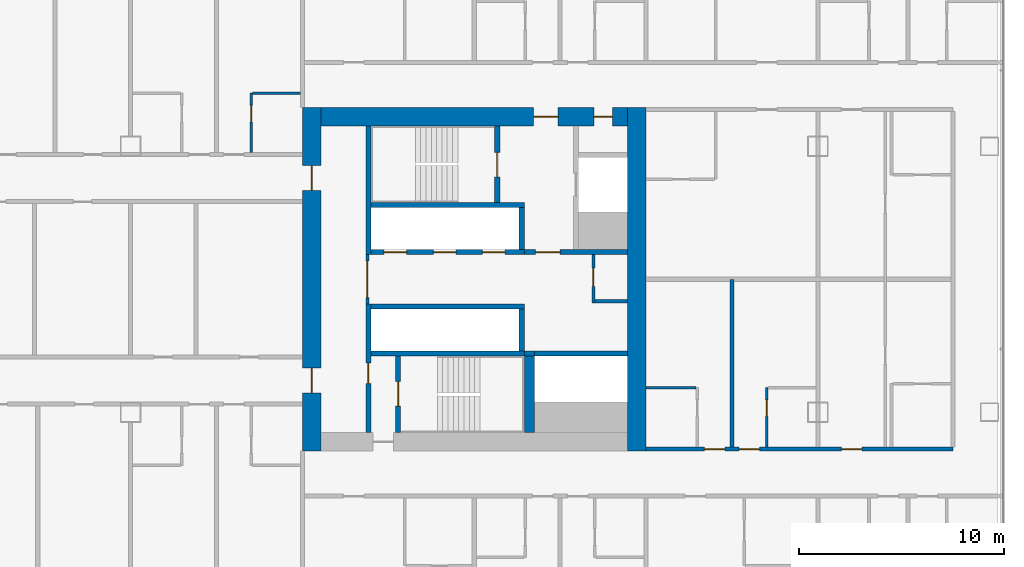
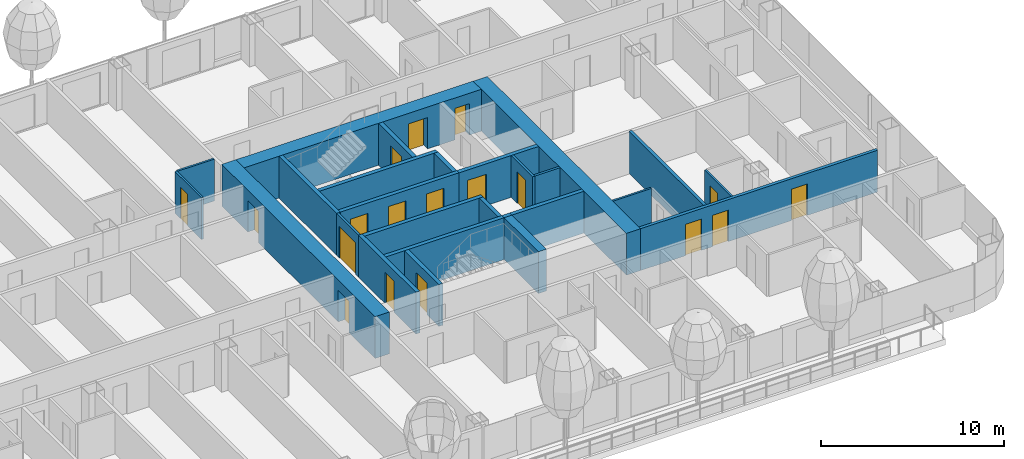
# One storey, part 18 of 36: 26 walls, 18 doors, 18 openings.
"""IFC4 building model written with IfcOpenShell, lengths in metres."""

from ifc_helpers import new_model, si_unit, direction, frame, frame_2d, origin, place, context, subcontext, project, spatial, rectangle, extrude, material, layer, layer_set, type_object, element, fill, save


model = new_model("IFC4")

# Units and contexts
model_context = context("Model", 3, precision=1e-05, world=origin(), true_north=direction((0.0, 1.0)))
body_context = subcontext(model_context, "Body", "Model", "MODEL_VIEW")
ifc_project = project(units=[si_unit("LENGTHUNIT", "METRE"), si_unit("AREAUNIT", "SQUARE_METRE"), si_unit("VOLUMEUNIT", "CUBIC_METRE"), si_unit("PLANEANGLEUNIT", "RADIAN"), si_unit("MASSUNIT", "GRAM", prefix="KILO")], contexts=[model_context])

# Site, building, storey
site_placement = place(None, origin())
site = spatial("IfcSite", under=ifc_project, at=site_placement, CompositionType="ELEMENT")
building_placement = place(site_placement, origin())
building = spatial("IfcBuilding", under=site, at=building_placement, Name="Hakoniwa Tower and Hamabe Station Hall", CompositionType="ELEMENT")
storey_placement = place(building_placement, frame((0.0, 0.0, 26.199951171875)))
storey = spatial("IfcBuildingStorey", under=building, at=storey_placement, Name="L06", CompositionType="ELEMENT", Elevation=26.199951171875)

# Walls
ifc_material_1 = material(Name="Gypsum board partition", Category="gypsum")
ifc_layer_1 = layer(ifc_material_1, 0.125)
ifc_layer_set_1 = layer_set([ifc_layer_1], Name="Bathroom Partition 125")
wall_type_1 = type_object("IfcWallType", Name="Bathroom Partition 125", PredefinedType="PARTITIONING", material=ifc_layer_set_1)
wall_1_placement = place(storey_placement, frame((33.60009765625, -5.300048828125, 0.0), z_axis=(0.0, 0.0, 1.0), x_axis=(1.0, 0.0, 0.0)))
element("IfcWall", 1, at=wall_1_placement, inside=storey, type_object=wall_type_1, Name="GW-L06-017", PredefinedType="PARTITIONING", context=body_context, shape_type="SweptSolid", body=[
    extrude(rectangle(XDim=2.4375, YDim=0.125, at=frame_2d((1.21875, 0.0))), origin(), (0.0, 0.0, 1.0), 2.800048828125),
])
wall_2_placement = place(storey_placement, frame((14.362548828125, 9.10009765625, 0.0), z_axis=(0.0, 0.0, 1.0), x_axis=(1.0, 0.0, 0.0)))
element("IfcWall", 2, at=wall_2_placement, inside=storey, type_object=wall_type_1, Name="GW-L06-037", PredefinedType="PARTITIONING", context=body_context, shape_type="SweptSolid", body=[
    extrude(rectangle(XDim=2.33740234375, YDim=0.125, at=frame_2d((1.168701171875, 0.0))), origin(), (0.0, 0.0, 1.0), 2.800048828125),
])

# Wall, opening, door
wall_3_placement = place(storey_placement, frame((14.300048828125, 6.199951171875, 0.0), z_axis=(0.0, 0.0, 1.0), x_axis=(0.0, 1.0, 0.0)))
wall_3 = element("IfcWall", 3, at=wall_3_placement, inside=storey, type_object=wall_type_1, Name="GW-L06-108", PredefinedType="PARTITIONING", context=body_context, shape_type="SweptSolid", body=[
    extrude(rectangle(XDim=2.900146484375, YDim=0.125, at=frame_2d((1.4501953125, 0.0))), origin(), (0.0, 0.0, 1.0), 2.800048828125),
])
opening_1_placement = place(wall_3_placement, frame((1.5, 0.0, 0.0)))
opening_1 = element("IfcOpeningElement", 4, at=opening_1_placement, cuts=wall_3, Name="Opening GD-G1C0-84", PredefinedType="OPENING", context=body_context, shape_type="SweptSolid", body=[
    extrude(rectangle(XDim=0.800048828125, YDim=2.10009765625, at=frame_2d((0.39990234375, 1.050048828125))), frame((0.0, 0.072509765625, 0.0), z_axis=(0.0, -1.0, 0.0), x_axis=(1.0, 0.0, 0.0)), (0.0, 0.0, 1.0), 0.14501953125),
])
ifc_material_2 = material(Name="Timber door leaf", Category="wood")
door_type_1 = type_object("IfcDoorType", Name="Bathroom Door 800", OperationType="SINGLE_SWING_LEFT", PredefinedType="DOOR", material=ifc_material_2)
door_1_placement = place(opening_1_placement, origin())
door_1 = element("IfcDoor", 5, at=door_1_placement, inside=storey, type_object=door_type_1, Name="Door GD-G1C0-84", OperationType="SINGLE_SWING_RIGHT", OverallHeight=2.10009765625, OverallWidth=0.800048828125, PredefinedType="DOOR", context=body_context, shape_type="SweptSolid", body=[
    extrude(rectangle(XDim=0.800048828125, YDim=2.10009765625, at=frame_2d((0.39990234375, 1.050048828125))), frame((0.0, 0.02490234375, 0.0), z_axis=(0.0, -1.0, 0.0), x_axis=(1.0, 0.0, 0.0)), (0.0, 0.0, 1.0), 0.050048828125),
])
fill(opening_1, door_1)

wall_4_placement = place(storey_placement, frame((39.5, -8.199951171875, 0.0), z_axis=(0.0, 0.0, 1.0), x_axis=(0.0, 1.0, 0.0)))
wall_4 = element("IfcWall", 6, at=wall_4_placement, inside=storey, type_object=wall_type_1, Name="GW-L06-128", PredefinedType="PARTITIONING", context=body_context, shape_type="SweptSolid", body=[
    extrude(rectangle(XDim=2.89990234375, YDim=0.125, at=frame_2d((1.449951171875, 0.0))), origin(), (0.0, 0.0, 1.0), 2.800048828125),
])
opening_2_placement = place(wall_4_placement, frame((1.5, 0.0, 0.0)))
opening_2 = element("IfcOpeningElement", 7, at=opening_2_placement, cuts=wall_4, Name="Opening GD-G1C0-91", PredefinedType="OPENING", context=body_context, shape_type="SweptSolid", body=[
    extrude(rectangle(XDim=0.800048828125, YDim=2.10009765625, at=frame_2d((0.39990234375, 1.050048828125))), frame((0.0, 0.072509765625, 0.0), z_axis=(0.0, -1.0, 0.0), x_axis=(1.0, 0.0, 0.0)), (0.0, 0.0, 1.0), 0.14501953125),
])
door_2_placement = place(opening_2_placement, origin())
door_2 = element("IfcDoor", 8, at=door_2_placement, inside=storey, type_object=door_type_1, Name="Door GD-G1C0-91", OperationType="SINGLE_SWING_RIGHT", OverallHeight=2.10009765625, OverallWidth=0.800048828125, PredefinedType="DOOR", context=body_context, shape_type="SweptSolid", body=[
    extrude(rectangle(XDim=0.800048828125, YDim=2.10009765625, at=frame_2d((0.39990234375, 1.050048828125))), frame((0.0, 0.02490234375, 0.0), z_axis=(0.0, -1.0, 0.0), x_axis=(1.0, 0.0, 0.0)), (0.0, 0.0, 1.0), 0.050048828125),
])
fill(opening_2, door_2)

ifc_material_3 = material(Name="Gypsum board partition")
ifc_layer_2 = layer(ifc_material_3, 0.14990234375)
ifc_layer_set_2 = layer_set([ifc_layer_2], Name="CORE PARTITION 150 EI 60")
wall_type_2 = type_object("IfcWallType", Name="CORE PARTITION 150 EI 60", PredefinedType="PARTITIONING", material=ifc_layer_set_2)
wall_5_placement = place(storey_placement, frame((19.97509765625, -1.199951171875, 0.0), z_axis=(0.0, 0.0, 1.0), x_axis=(0.0, 1.0, 0.0)))
wall_5 = element("IfcWall", 9, at=wall_5_placement, inside=storey, type_object=wall_type_2, Name="Core partition PL0 east", PredefinedType="PARTITIONING", context=body_context, shape_type="SweptSolid", body=[
    extrude(rectangle(XDim=2.39990234375, YDim=0.14990234375, at=frame_2d((1.199951171875, 0.0))), origin(), (0.0, 0.0, 1.0), 2.800048828125),
])
opening_3_placement = place(wall_5_placement, frame((0.300048828125, 0.0, 0.0)))
opening_3 = element("IfcOpeningElement", 10, at=opening_3_placement, cuts=wall_5, Name="Opening CD-E-LP0-18", PredefinedType="OPENING", context=body_context, shape_type="SweptSolid", body=[
    extrude(rectangle(XDim=1.800048828125, YDim=2.10009765625, at=frame_2d((0.89990234375, 1.050048828125))), frame((0.0, 0.0849609375, 0.0), z_axis=(0.0, -1.0, 0.0), x_axis=(1.0, 0.0, 0.0)), (0.0, 0.0, 1.0), 0.169921875),
])
ifc_material_4 = material(Name="Steel fire door", Category="steel")
door_type_2 = type_object("IfcDoorType", Name="CORE DOOR 1800 FD60", OperationType="DOUBLE_DOOR_SINGLE_SWING", PredefinedType="DOOR", material=ifc_material_4)
door_3_placement = place(opening_3_placement, origin())
door_3 = element("IfcDoor", 11, at=door_3_placement, inside=storey, type_object=door_type_2, Name="Lift lobby partition door", OperationType="DOUBLE_DOOR_SINGLE_SWING", OverallHeight=2.10009765625, OverallWidth=1.800048828125, PredefinedType="DOOR", context=body_context, shape_type="SweptSolid", body=[
    extrude(rectangle(XDim=1.800048828125, YDim=2.10009765625, at=frame_2d((0.89990234375, 1.050048828125))), frame((0.0, 0.02490234375, 0.0), z_axis=(0.0, -1.0, 0.0), x_axis=(1.0, 0.0, 0.0)), (0.0, 0.0, 1.0), 0.050048828125),
])
fill(opening_3, door_3)

wall_6_placement = place(storey_placement, frame((31.02490234375, -1.14990234375, 0.0), z_axis=(0.0, 0.0, 1.0), x_axis=(0.0, 1.0, 0.0)))
wall_6 = element("IfcWall", 12, at=wall_6_placement, inside=storey, type_object=wall_type_2, Name="Core partition PW0 east", PredefinedType="PARTITIONING", context=body_context, shape_type="SweptSolid", body=[
    extrude(rectangle(XDim=2.349853515625, YDim=0.14990234375, at=frame_2d((1.1748046875, 0.0))), origin(), (0.0, 0.0, 1.0), 2.800048828125),
])
opening_4_placement = place(wall_6_placement, frame((0.800048828125, 0.0, 0.0)))
opening_4 = element("IfcOpeningElement", 13, at=opening_4_placement, cuts=wall_6, Name="Opening CD-E-RM1-9", PredefinedType="OPENING", context=body_context, shape_type="SweptSolid", body=[
    extrude(rectangle(XDim=0.89990234375, YDim=2.10009765625, at=frame_2d((0.449951171875, 1.050048828125))), frame((0.0, 0.0849609375, 0.0), z_axis=(0.0, -1.0, 0.0), x_axis=(1.0, 0.0, 0.0)), (0.0, 0.0, 1.0), 0.169921875),
])
ifc_material_5 = material(Name="Steel fire door", Category="steel")
door_type_3 = type_object("IfcDoorType", Name="CORE DOOR 900 FD30", OperationType="NOTDEFINED", PredefinedType="DOOR", material=ifc_material_5)
door_4_placement = place(opening_4_placement, origin())
door_4 = element("IfcDoor", 14, at=door_4_placement, inside=storey, type_object=door_type_3, Name="Store room door", OperationType="SINGLE_SWING_LEFT", OverallHeight=2.10009765625, OverallWidth=0.89990234375, PredefinedType="DOOR", context=body_context, shape_type="SweptSolid", body=[
    extrude(rectangle(XDim=0.89990234375, YDim=2.10009765625, at=frame_2d((0.449951171875, 1.050048828125))), frame((0.0, 0.02490234375, 0.0), z_axis=(0.0, -1.0, 0.0), x_axis=(1.0, 0.0, 0.0)), (0.0, 0.0, 1.0), 0.050048828125),
])
fill(opening_4, door_4)

# Wall
wall_7_placement = place(storey_placement, frame((31.10009765625, -1.074951171875, 0.0), z_axis=(0.0, 0.0, 1.0), x_axis=(1.0, 0.0, 0.0)))
element("IfcWall", 15, at=wall_7_placement, inside=storey, type_object=wall_type_2, Name="Core partition PS east", PredefinedType="PARTITIONING", context=body_context, shape_type="SweptSolid", body=[
    extrude(rectangle(XDim=1.599853515625, YDim=0.14990234375, at=frame_2d((0.7998046875, 0.0))), origin(), (0.0, 0.0, 1.0), 2.800048828125),
])

# Wall, openings, doors
ifc_material_6 = material(Name="Concrete C80", Category="concrete")
ifc_layer_3 = layer(ifc_material_6, 0.89990234375)
ifc_layer_set_3 = layer_set([ifc_layer_3], Name="CORE WALL 900 C80")
wall_type_3 = type_object("IfcWallType", Name="CORE WALL 900 C80", PredefinedType="SHEAR", material=ifc_layer_set_3)
wall_8_placement = place(storey_placement, frame((17.25, -8.39990234375, 0.0), z_axis=(0.0, 0.0, 1.0), x_axis=(0.0, 1.0, 0.0)))
wall_8 = element("IfcWall", 16, at=wall_8_placement, inside=storey, type_object=wall_type_3, Name="Core wall INNER east", PredefinedType="SHEAR", context=body_context, shape_type="SweptSolid", body=[
    extrude(rectangle(XDim=16.7998046875, YDim=0.89990234375, at=frame_2d((8.39990234375, 0.0))), origin(), (0.0, 0.0, 1.0), 2.800048828125),
])
opening_5_placement = place(wall_8_placement, frame((12.75, 0.0, 0.0)))
opening_5 = element("IfcOpeningElement", 17, at=opening_5_placement, cuts=wall_8, Name="Opening CD-E-IN1-12", PredefinedType="OPENING", context=body_context, shape_type="SweptSolid", body=[
    extrude(rectangle(XDim=1.199951171875, YDim=2.10009765625, at=frame_2d((0.60009765625, 1.050048828125))), frame((0.0, 0.4599609375, 0.0), z_axis=(0.0, -1.0, 0.0), x_axis=(1.0, 0.0, 0.0)), (0.0, 0.0, 1.0), 0.919921875),
])
opening_6_placement = place(wall_8_placement, frame((2.85009765625, 0.0, 0.0)))
opening_6 = element("IfcOpeningElement", 18, at=opening_6_placement, cuts=wall_8, Name="Opening CD-E-IN2-12", PredefinedType="OPENING", context=body_context, shape_type="SweptSolid", body=[
    extrude(rectangle(XDim=1.199951171875, YDim=2.10009765625, at=frame_2d((0.60009765625, 1.050048828125))), frame((0.0, 0.4599609375, 0.0), z_axis=(0.0, -1.0, 0.0), x_axis=(1.0, 0.0, 0.0)), (0.0, 0.0, 1.0), 0.919921875),
])
ifc_material_7 = material(Name="Steel fire door", Category="steel")
door_type_4 = type_object("IfcDoorType", Name="CORE DOOR 1200 FD60", OperationType="DOUBLE_DOOR_SINGLE_SWING", PredefinedType="DOOR", material=ifc_material_7)
door_5_placement = place(opening_5_placement, origin())
door_5 = element("IfcDoor", 19, at=door_5_placement, inside=storey, type_object=door_type_4, Name="Lift lobby door", OperationType="DOUBLE_DOOR_SINGLE_SWING", OverallHeight=2.10009765625, OverallWidth=1.199951171875, PredefinedType="DOOR", context=body_context, shape_type="SweptSolid", body=[
    extrude(rectangle(XDim=1.199951171875, YDim=2.10009765625, at=frame_2d((0.60009765625, 1.050048828125))), frame((0.0, 0.02490234375, 0.0), z_axis=(0.0, -1.0, 0.0), x_axis=(1.0, 0.0, 0.0)), (0.0, 0.0, 1.0), 0.050048828125),
])
fill(opening_5, door_5)
door_6_placement = place(opening_6_placement, origin())
door_6 = element("IfcDoor", 20, at=door_6_placement, inside=storey, type_object=door_type_4, Name="Lift lobby door", OperationType="DOUBLE_DOOR_SINGLE_SWING", OverallHeight=2.10009765625, OverallWidth=1.199951171875, PredefinedType="DOOR", context=body_context, shape_type="SweptSolid", body=[
    extrude(rectangle(XDim=1.199951171875, YDim=2.10009765625, at=frame_2d((0.60009765625, 1.050048828125))), frame((0.0, 0.02490234375, 0.0), z_axis=(0.0, -1.0, 0.0), x_axis=(1.0, 0.0, 0.0)), (0.0, 0.0, 1.0), 0.050048828125),
])
fill(opening_6, door_6)

# Wall
wall_9_placement = place(storey_placement, frame((33.14990234375, -8.39990234375, 0.0), z_axis=(0.0, 0.0, 1.0), x_axis=(0.0, 1.0, 0.0)))
element("IfcWall", 21, at=wall_9_placement, inside=storey, type_object=wall_type_3, Name="Core wall OUTER east", PredefinedType="SHEAR", context=body_context, shape_type="SweptSolid", body=[
    extrude(rectangle(XDim=16.7998046875, YDim=0.89990234375, at=frame_2d((8.39990234375, 0.0))), origin(), (0.0, 0.0, 1.0), 2.800048828125),
])

# Wall, openings, doors
wall_10_placement = place(storey_placement, frame((17.699951171875, 7.949951171875, 0.0), z_axis=(0.0, 0.0, 1.0), x_axis=(1.0, 0.0, 0.0)))
wall_10 = element("IfcWall", 22, at=wall_10_placement, inside=storey, type_object=wall_type_3, Name="Core wall NORTH east", PredefinedType="SHEAR", context=body_context, shape_type="SweptSolid", body=[
    extrude(rectangle(XDim=15.0, YDim=0.89990234375, at=frame_2d((7.5, 0.0))), origin(), (0.0, 0.0, 1.0), 2.800048828125),
])
opening_7_placement = place(wall_10_placement, frame((10.39990234375, 0.0, 0.0)))
opening_7 = element("IfcOpeningElement", 23, at=opening_7_placement, cuts=wall_10, Name="Opening CD-E-FN1-12", PredefinedType="OPENING", context=body_context, shape_type="SweptSolid", body=[
    extrude(rectangle(XDim=1.199951171875, YDim=2.10009765625, at=frame_2d((0.60009765625, 1.050048828125))), frame((0.0, 0.4599609375, 0.0), z_axis=(0.0, -1.0, 0.0), x_axis=(1.0, 0.0, 0.0)), (0.0, 0.0, 1.0), 0.919921875),
])
opening_8_placement = place(wall_10_placement, frame((13.35009765625, 0.0, 0.0)))
opening_8 = element("IfcOpeningElement", 24, at=opening_8_placement, cuts=wall_10, Name="Opening CD-E-FN2-9", PredefinedType="OPENING", context=body_context, shape_type="SweptSolid", body=[
    extrude(rectangle(XDim=0.89990234375, YDim=2.10009765625, at=frame_2d((0.449951171875, 1.050048828125))), frame((0.0, 0.4599609375, 0.0), z_axis=(0.0, -1.0, 0.0), x_axis=(1.0, 0.0, 0.0)), (0.0, 0.0, 1.0), 0.919921875),
])
door_7_placement = place(opening_7_placement, origin())
door_7 = element("IfcDoor", 25, at=door_7_placement, inside=storey, type_object=door_type_4, Name="Stair vestibule door to the fire-fighting lobby", OperationType="DOUBLE_DOOR_SINGLE_SWING", OverallHeight=2.10009765625, OverallWidth=1.199951171875, PredefinedType="DOOR", context=body_context, shape_type="SweptSolid", body=[
    extrude(rectangle(XDim=1.199951171875, YDim=2.10009765625, at=frame_2d((0.60009765625, 1.050048828125))), frame((0.0, 0.02490234375, 0.0), z_axis=(0.0, -1.0, 0.0), x_axis=(1.0, 0.0, 0.0)), (0.0, 0.0, 1.0), 0.050048828125),
])
fill(opening_7, door_7)
door_8_placement = place(opening_8_placement, origin())
door_8 = element("IfcDoor", 26, at=door_8_placement, inside=storey, type_object=door_type_3, Name="Riser access door", OperationType="SINGLE_SWING_RIGHT", OverallHeight=2.10009765625, OverallWidth=0.89990234375, PredefinedType="DOOR", context=body_context, shape_type="SweptSolid", body=[
    extrude(rectangle(XDim=0.89990234375, YDim=2.10009765625, at=frame_2d((0.449951171875, 1.050048828125))), frame((0.0, 0.02490234375, 0.0), z_axis=(0.0, -1.0, 0.0), x_axis=(1.0, 0.0, 0.0)), (0.0, 0.0, 1.0), 0.050048828125),
])
fill(opening_8, door_8)

# Wall
ifc_material_8 = material(Name="Concrete C80", Category="concrete")
ifc_layer_4 = layer(ifc_material_8, 0.25)
ifc_layer_set_4 = layer_set([ifc_layer_4], Name="CORE WEB WALL 250 C80")
wall_type_4 = type_object("IfcWallType", Name="CORE WEB WALL 250 C80", PredefinedType="SHEAR", material=ifc_layer_set_4)
wall_11_placement = place(storey_placement, frame((20.02490234375, 1.199951171875, 0.0), z_axis=(0.0, 0.0, 1.0), x_axis=(0.0, 1.0, 0.0)))
element("IfcWall", 27, at=wall_11_placement, inside=storey, type_object=wall_type_4, Name="Core wall W1N east", PredefinedType="SHEAR", context=body_context, shape_type="SweptSolid", body=[
    extrude(rectangle(XDim=6.300048828125, YDim=0.25, at=frame_2d((3.14990234375, 0.0))), origin(), (0.0, 0.0, 1.0), 2.800048828125),
])

# Wall, opening, door
wall_12_placement = place(storey_placement, frame((20.02490234375, -7.5, 0.0), z_axis=(0.0, 0.0, 1.0), x_axis=(0.0, 1.0, 0.0)))
wall_12 = element("IfcWall", 28, at=wall_12_placement, inside=storey, type_object=wall_type_4, Name="Core wall W1S east", PredefinedType="SHEAR", context=body_context, shape_type="SweptSolid", body=[
    extrude(rectangle(XDim=6.300048828125, YDim=0.25, at=frame_2d((3.14990234375, 0.0))), origin(), (0.0, 0.0, 1.0), 2.800048828125),
])
opening_9_placement = place(wall_12_placement, frame((2.39990234375, 0.0, 0.0)))
opening_9 = element("IfcOpeningElement", 29, at=opening_9_placement, cuts=wall_12, Name="Opening CD-E-VS-10", PredefinedType="OPENING", context=body_context, shape_type="SweptSolid", body=[
    extrude(rectangle(XDim=1.0, YDim=2.10009765625, at=frame_2d((0.5, 1.050048828125))), frame((0.0, 0.135009765625, 0.0), z_axis=(0.0, -1.0, 0.0), x_axis=(1.0, 0.0, 0.0)), (0.0, 0.0, 1.0), 0.27001953125),
])
ifc_material_9 = material(Name="Steel fire door", Category="steel")
door_type_5 = type_object("IfcDoorType", Name="CORE DOOR 1000 FD60", OperationType="NOTDEFINED", PredefinedType="DOOR", material=ifc_material_9)
door_9_placement = place(opening_9_placement, origin())
door_9 = element("IfcDoor", 30, at=door_9_placement, inside=storey, type_object=door_type_5, Name="Stair vestibule door", OperationType="SINGLE_SWING_RIGHT", OverallHeight=2.10009765625, OverallWidth=1.0, PredefinedType="DOOR", context=body_context, shape_type="SweptSolid", body=[
    extrude(rectangle(XDim=1.0, YDim=2.10009765625, at=frame_2d((0.5, 1.050048828125))), frame((0.0, 0.02490234375, 0.0), z_axis=(0.0, -1.0, 0.0), x_axis=(1.0, 0.0, 0.0)), (0.0, 0.0, 1.0), 0.050048828125),
])
fill(opening_9, door_9)

# Wall, openings, doors
wall_13_placement = place(storey_placement, frame((20.14990234375, 1.324951171875, 0.0), z_axis=(0.0, 0.0, 1.0), x_axis=(1.0, 0.0, 0.0)))
wall_13 = element("IfcWall", 31, at=wall_13_placement, inside=storey, type_object=wall_type_4, Name="Core wall NF east", PredefinedType="SHEAR", context=body_context, shape_type="SweptSolid", body=[
    extrude(rectangle(XDim=7.5, YDim=0.25, at=frame_2d((3.75, 0.0))), origin(), (0.0, 0.0, 1.0), 2.800048828125),
])
opening_10_placement = place(wall_13_placement, frame((0.64990234375, 0.0, 0.0)))
opening_10 = element("IfcOpeningElement", 32, at=opening_10_placement, cuts=wall_13, Name="Opening LD-LR4", PredefinedType="OPENING", context=body_context, shape_type="SweptSolid", body=[
    extrude(rectangle(XDim=1.10009765625, YDim=2.10009765625, at=frame_2d((0.550048828125, 1.050048828125))), frame((0.0, 0.135009765625, 0.0), z_axis=(0.0, -1.0, 0.0), x_axis=(1.0, 0.0, 0.0)), (0.0, 0.0, 1.0), 0.27001953125),
])
opening_11_placement = place(wall_13_placement, frame((3.050048828125, 0.0, 0.0)))
opening_11 = element("IfcOpeningElement", 33, at=opening_11_placement, cuts=wall_13, Name="Opening LD-LR5", PredefinedType="OPENING", context=body_context, shape_type="SweptSolid", body=[
    extrude(rectangle(XDim=1.10009765625, YDim=2.10009765625, at=frame_2d((0.550048828125, 1.050048828125))), frame((0.0, 0.135009765625, 0.0), z_axis=(0.0, -1.0, 0.0), x_axis=(1.0, 0.0, 0.0)), (0.0, 0.0, 1.0), 0.27001953125),
])
opening_12_placement = place(wall_13_placement, frame((5.449951171875, 0.0, 0.0)))
opening_12 = element("IfcOpeningElement", 34, at=opening_12_placement, cuts=wall_13, Name="Opening LD-LR6", PredefinedType="OPENING", context=body_context, shape_type="SweptSolid", body=[
    extrude(rectangle(XDim=1.10009765625, YDim=2.10009765625, at=frame_2d((0.550048828125, 1.050048828125))), frame((0.0, 0.135009765625, 0.0), z_axis=(0.0, -1.0, 0.0), x_axis=(1.0, 0.0, 0.0)), (0.0, 0.0, 1.0), 0.27001953125),
])
ifc_material_10 = material(Name="Stainless steel SUS304", Category="steel")
door_type_6 = type_object("IfcDoorType", Name="LIFT LANDING DOOR 1100 FD60", OperationType="DOUBLE_DOOR_SLIDING", PredefinedType="DOOR", material=ifc_material_10)
door_10_placement = place(opening_10_placement, origin())
door_10 = element("IfcDoor", 35, at=door_10_placement, inside=storey, type_object=door_type_6, Name="Lift landing door LR4 L06", OperationType="DOUBLE_DOOR_SLIDING", OverallHeight=2.10009765625, OverallWidth=1.10009765625, PredefinedType="DOOR", context=body_context, shape_type="SweptSolid", body=[
    extrude(rectangle(XDim=1.10009765625, YDim=2.10009765625, at=frame_2d((0.550048828125, 1.050048828125))), frame((0.0, 0.02490234375, 0.0), z_axis=(0.0, -1.0, 0.0), x_axis=(1.0, 0.0, 0.0)), (0.0, 0.0, 1.0), 0.050048828125),
])
fill(opening_10, door_10)
door_11_placement = place(opening_11_placement, origin())
door_11 = element("IfcDoor", 36, at=door_11_placement, inside=storey, type_object=door_type_6, Name="Lift landing door LR5 L06", OperationType="DOUBLE_DOOR_SLIDING", OverallHeight=2.10009765625, OverallWidth=1.10009765625, PredefinedType="DOOR", context=body_context, shape_type="SweptSolid", body=[
    extrude(rectangle(XDim=1.10009765625, YDim=2.10009765625, at=frame_2d((0.550048828125, 1.050048828125))), frame((0.0, 0.02490234375, 0.0), z_axis=(0.0, -1.0, 0.0), x_axis=(1.0, 0.0, 0.0)), (0.0, 0.0, 1.0), 0.050048828125),
])
fill(opening_11, door_11)
door_12_placement = place(opening_12_placement, origin())
door_12 = element("IfcDoor", 37, at=door_12_placement, inside=storey, type_object=door_type_6, Name="Lift landing door LR6 L06", OperationType="DOUBLE_DOOR_SLIDING", OverallHeight=2.10009765625, OverallWidth=1.10009765625, PredefinedType="DOOR", context=body_context, shape_type="SweptSolid", body=[
    extrude(rectangle(XDim=1.10009765625, YDim=2.10009765625, at=frame_2d((0.550048828125, 1.050048828125))), frame((0.0, 0.02490234375, 0.0), z_axis=(0.0, -1.0, 0.0), x_axis=(1.0, 0.0, 0.0)), (0.0, 0.0, 1.0), 0.050048828125),
])
fill(opening_12, door_12)

# Walls
wall_14_placement = place(storey_placement, frame((27.52490234375, 1.449951171875, 0.0), z_axis=(0.0, 0.0, 1.0), x_axis=(0.0, 1.0, 0.0)))
element("IfcWall", 38, at=wall_14_placement, inside=storey, type_object=wall_type_4, Name="Core wall NE east", PredefinedType="SHEAR", context=body_context, shape_type="SweptSolid", body=[
    extrude(rectangle(XDim=2.050048828125, YDim=0.25, at=frame_2d((1.02490234375, 0.0))), origin(), (0.0, 0.0, 1.0), 2.800048828125),
])
wall_15_placement = place(storey_placement, frame((20.14990234375, 3.625, 0.0), z_axis=(0.0, 0.0, 1.0), x_axis=(1.0, 0.0, 0.0)))
element("IfcWall", 39, at=wall_15_placement, inside=storey, type_object=wall_type_4, Name="Core wall NR east", PredefinedType="SHEAR", context=body_context, shape_type="SweptSolid", body=[
    extrude(rectangle(XDim=7.5, YDim=0.25, at=frame_2d((3.75, 0.0))), origin(), (0.0, 0.0, 1.0), 2.800048828125),
])

# Wall, opening, door
wall_16_placement = place(storey_placement, frame((26.324951171875, 3.75, 0.0), z_axis=(0.0, 0.0, 1.0), x_axis=(0.0, 1.0, 0.0)))
wall_16 = element("IfcWall", 40, at=wall_16_placement, inside=storey, type_object=wall_type_4, Name="Core wall NSE east", PredefinedType="SHEAR", context=body_context, shape_type="SweptSolid", body=[
    extrude(rectangle(XDim=3.75, YDim=0.25, at=frame_2d((1.875, 0.0))), origin(), (0.0, 0.0, 1.0), 2.800048828125),
])
opening_13_placement = place(wall_16_placement, frame((1.25, 0.0, 0.0)))
opening_13 = element("IfcOpeningElement", 41, at=opening_13_placement, cuts=wall_16, Name="Opening CD-E-SN-12", PredefinedType="OPENING", context=body_context, shape_type="SweptSolid", body=[
    extrude(rectangle(XDim=1.199951171875, YDim=2.10009765625, at=frame_2d((0.60009765625, 1.050048828125))), frame((0.0, 0.135009765625, 0.0), z_axis=(0.0, -1.0, 0.0), x_axis=(1.0, 0.0, 0.0)), (0.0, 0.0, 1.0), 0.27001953125),
])
door_13_placement = place(opening_13_placement, origin())
door_13 = element("IfcDoor", 42, at=door_13_placement, inside=storey, type_object=door_type_4, Name="Escape stair door", OperationType="DOUBLE_DOOR_SINGLE_SWING", OverallHeight=2.10009765625, OverallWidth=1.199951171875, PredefinedType="DOOR", context=body_context, shape_type="SweptSolid", body=[
    extrude(rectangle(XDim=1.199951171875, YDim=2.10009765625, at=frame_2d((0.60009765625, 1.050048828125))), frame((0.0, 0.02490234375, 0.0), z_axis=(0.0, -1.0, 0.0), x_axis=(1.0, 0.0, 0.0)), (0.0, 0.0, 1.0), 0.050048828125),
])
fill(opening_13, door_13)

wall_17_placement = place(storey_placement, frame((27.64990234375, 1.324951171875, 0.0), z_axis=(0.0, 0.0, 1.0), x_axis=(1.0, 0.0, 0.0)))
wall_17 = element("IfcWall", 43, at=wall_17_placement, inside=storey, type_object=wall_type_4, Name="Core wall ELN east", PredefinedType="SHEAR", context=body_context, shape_type="SweptSolid", body=[
    extrude(rectangle(XDim=5.050048828125, YDim=0.25, at=frame_2d((2.52490234375, 0.0))), origin(), (0.0, 0.0, 1.0), 2.800048828125),
])
opening_14_placement = place(wall_17_placement, frame((0.550048828125, 0.0, 0.0)))
opening_14 = element("IfcOpeningElement", 44, at=opening_14_placement, cuts=wall_17, Name="Opening CD-E-FL-12", PredefinedType="OPENING", context=body_context, shape_type="SweptSolid", body=[
    extrude(rectangle(XDim=1.199951171875, YDim=2.10009765625, at=frame_2d((0.60009765625, 1.050048828125))), frame((0.0, 0.135009765625, 0.0), z_axis=(0.0, -1.0, 0.0), x_axis=(1.0, 0.0, 0.0)), (0.0, 0.0, 1.0), 0.27001953125),
])
door_14_placement = place(opening_14_placement, origin())
door_14 = element("IfcDoor", 45, at=door_14_placement, inside=storey, type_object=door_type_4, Name="Stair vestibule door to the fire-fighting lobby", OperationType="DOUBLE_DOOR_SINGLE_SWING", OverallHeight=2.10009765625, OverallWidth=1.199951171875, PredefinedType="DOOR", context=body_context, shape_type="SweptSolid", body=[
    extrude(rectangle(XDim=1.199951171875, YDim=2.10009765625, at=frame_2d((0.60009765625, 1.050048828125))), frame((0.0, 0.02490234375, 0.0), z_axis=(0.0, -1.0, 0.0), x_axis=(1.0, 0.0, 0.0)), (0.0, 0.0, 1.0), 0.050048828125),
])
fill(opening_14, door_14)

# Walls
wall_18_placement = place(storey_placement, frame((20.14990234375, -1.324951171875, 0.0), z_axis=(0.0, 0.0, 1.0), x_axis=(1.0, 0.0, 0.0)))
element("IfcWall", 46, at=wall_18_placement, inside=storey, type_object=wall_type_4, Name="Core wall SF east", PredefinedType="SHEAR", context=body_context, shape_type="SweptSolid", body=[
    extrude(rectangle(XDim=7.5, YDim=0.25, at=frame_2d((3.75, 0.0))), origin(), (0.0, 0.0, 1.0), 2.800048828125),
])
wall_19_placement = place(storey_placement, frame((27.52490234375, -3.5, 0.0), z_axis=(0.0, 0.0, 1.0), x_axis=(0.0, 1.0, 0.0)))
element("IfcWall", 47, at=wall_19_placement, inside=storey, type_object=wall_type_4, Name="Core wall SE east", PredefinedType="SHEAR", context=body_context, shape_type="SweptSolid", body=[
    extrude(rectangle(XDim=2.050048828125, YDim=0.25, at=frame_2d((1.02490234375, 0.0))), origin(), (0.0, 0.0, 1.0), 2.800048828125),
])
wall_20_placement = place(storey_placement, frame((20.14990234375, -3.625, 0.0), z_axis=(0.0, 0.0, 1.0), x_axis=(1.0, 0.0, 0.0)))
element("IfcWall", 48, at=wall_20_placement, inside=storey, type_object=wall_type_4, Name="Core wall SR east", PredefinedType="SHEAR", context=body_context, shape_type="SweptSolid", body=[
    extrude(rectangle(XDim=7.5, YDim=0.25, at=frame_2d((3.75, 0.0))), origin(), (0.0, 0.0, 1.0), 2.800048828125),
])

# Wall, opening, door
wall_21_placement = place(storey_placement, frame((21.47509765625, -7.5, 0.0), z_axis=(0.0, 0.0, 1.0), x_axis=(0.0, 1.0, 0.0)))
wall_21 = element("IfcWall", 49, at=wall_21_placement, inside=storey, type_object=wall_type_4, Name="Core wall VE east", PredefinedType="SHEAR", context=body_context, shape_type="SweptSolid", body=[
    extrude(rectangle(XDim=3.75, YDim=0.25, at=frame_2d((1.875, 0.0))), origin(), (0.0, 0.0, 1.0), 2.800048828125),
])
opening_15_placement = place(wall_21_placement, frame((1.300048828125, 0.0, 0.0)))
opening_15 = element("IfcOpeningElement", 50, at=opening_15_placement, cuts=wall_21, Name="Opening CD-E-SS-12", PredefinedType="OPENING", context=body_context, shape_type="SweptSolid", body=[
    extrude(rectangle(XDim=1.199951171875, YDim=2.10009765625, at=frame_2d((0.60009765625, 1.050048828125))), frame((0.0, 0.135009765625, 0.0), z_axis=(0.0, -1.0, 0.0), x_axis=(1.0, 0.0, 0.0)), (0.0, 0.0, 1.0), 0.27001953125),
])
door_15_placement = place(opening_15_placement, origin())
door_15 = element("IfcDoor", 51, at=door_15_placement, inside=storey, type_object=door_type_4, Name="Escape stair door", OperationType="DOUBLE_DOOR_SINGLE_SWING", OverallHeight=2.10009765625, OverallWidth=1.199951171875, PredefinedType="DOOR", context=body_context, shape_type="SweptSolid", body=[
    extrude(rectangle(XDim=1.199951171875, YDim=2.10009765625, at=frame_2d((0.60009765625, 1.050048828125))), frame((0.0, 0.02490234375, 0.0), z_axis=(0.0, -1.0, 0.0), x_axis=(1.0, 0.0, 0.0)), (0.0, 0.0, 1.0), 0.050048828125),
])
fill(opening_15, door_15)

# Walls
wall_22_placement = place(storey_placement, frame((28.14990234375, -3.625, 0.0), z_axis=(0.0, 0.0, 1.0), x_axis=(1.0, 0.0, 0.0)))
element("IfcWall", 52, at=wall_22_placement, inside=storey, type_object=wall_type_4, Name="Core wall SEF east", PredefinedType="SHEAR", context=body_context, shape_type="SweptSolid", body=[
    extrude(rectangle(XDim=4.550048828125, YDim=0.25, at=frame_2d((2.27490234375, 0.0))), origin(), (0.0, 0.0, 1.0), 2.800048828125),
])
wall_23_placement = place(storey_placement, frame((27.64990234375, -3.625, 0.0), z_axis=(0.0, 0.0, 1.0), x_axis=(1.0, 0.0, 0.0)))
element("IfcWall", 53, at=wall_23_placement, inside=storey, type_object=wall_type_4, Name="Core wall SRK east", PredefinedType="SHEAR", context=body_context, shape_type="SweptSolid", body=[
    extrude(rectangle(XDim=0.5, YDim=0.25, at=frame_2d((0.25, 0.0))), origin(), (0.0, 0.0, 1.0), 2.800048828125),
])
ifc_material_11 = material(Name="Concrete C80", Category="concrete")
ifc_layer_5 = layer(ifc_material_11, 0.5)
ifc_layer_set_5 = layer_set([ifc_layer_5], Name="CORE WEB WALL 500 C80")
wall_type_5 = type_object("IfcWallType", Name="CORE WEB WALL 500 C80", PredefinedType="SHEAR", material=ifc_layer_set_5)
wall_24_placement = place(storey_placement, frame((27.89990234375, -7.5, 0.0), z_axis=(0.0, 0.0, 1.0), x_axis=(0.0, 1.0, 0.0)))
element("IfcWall", 54, at=wall_24_placement, inside=storey, type_object=wall_type_5, Name="Core wall SSE east", PredefinedType="SHEAR", context=body_context, shape_type="SweptSolid", body=[
    extrude(rectangle(XDim=3.75, YDim=0.5, at=frame_2d((1.875, 0.0))), origin(), (0.0, 0.0, 1.0), 2.800048828125),
])

# Wall, openings, doors
ifc_material_12 = material(Name="Fire-rated gypsum board partition", Category="gypsum")
ifc_layer_6 = layer(ifc_material_12, 0.199951171875)
ifc_layer_set_6 = layer_set([ifc_layer_6], Name="Corridor Wall 200")
wall_type_6 = type_object("IfcWallType", Name="Corridor Wall 200", PredefinedType="PARTITIONING", material=ifc_layer_set_6)
wall_25_placement = place(storey_placement, frame((33.60009765625, -8.300048828125, 0.0), z_axis=(0.0, 0.0, 1.0), x_axis=(1.0, 0.0, 0.0)))
wall_25 = element("IfcWall", 55, at=wall_25_placement, inside=storey, type_object=wall_type_6, Name="GW-L06-015", PredefinedType="PARTITIONING", context=body_context, shape_type="SweptSolid", body=[
    extrude(rectangle(XDim=15.0, YDim=0.199951171875, at=frame_2d((7.5, 0.0))), origin(), (0.0, 0.0, 1.0), 2.800048828125),
])
opening_16_placement = place(wall_25_placement, frame((2.85009765625, 0.0, 0.0)))
opening_16 = element("IfcOpeningElement", 56, at=opening_16_placement, cuts=wall_25, Name="Opening GD-G1C0-17", PredefinedType="OPENING", context=body_context, shape_type="SweptSolid", body=[
    extrude(rectangle(XDim=1.0, YDim=2.10009765625, at=frame_2d((0.5, 1.050048828125))), frame((0.0, 0.10986328125, 0.0), z_axis=(0.0, -1.0, 0.0), x_axis=(1.0, 0.0, 0.0)), (0.0, 0.0, 1.0), 0.219970703125),
])
opening_17_placement = place(wall_25_placement, frame((4.550048828125, 0.0, 0.0)))
opening_17 = element("IfcOpeningElement", 57, at=opening_17_placement, cuts=wall_25, Name="Opening GD-G1C0-18", PredefinedType="OPENING", context=body_context, shape_type="SweptSolid", body=[
    extrude(rectangle(XDim=1.0, YDim=2.10009765625, at=frame_2d((0.5, 1.050048828125))), frame((0.0, 0.10986328125, 0.0), z_axis=(0.0, -1.0, 0.0), x_axis=(1.0, 0.0, 0.0)), (0.0, 0.0, 1.0), 0.219970703125),
])
opening_18_placement = place(wall_25_placement, frame((9.550048828125, 0.0, 0.0)))
opening_18 = element("IfcOpeningElement", 58, at=opening_18_placement, cuts=wall_25, Name="Opening GD-G1C0-19", PredefinedType="OPENING", context=body_context, shape_type="SweptSolid", body=[
    extrude(rectangle(XDim=1.0, YDim=2.10009765625, at=frame_2d((0.5, 1.050048828125))), frame((0.0, 0.10986328125, 0.0), z_axis=(0.0, -1.0, 0.0), x_axis=(1.0, 0.0, 0.0)), (0.0, 0.0, 1.0), 0.219970703125),
])
ifc_material_13 = material(Name="Timber door leaf", Category="wood")
door_type_7 = type_object("IfcDoorType", Name="Guest Entrance Door 1000", OperationType="SINGLE_SWING_LEFT", PredefinedType="DOOR", material=ifc_material_13)
door_16_placement = place(opening_16_placement, origin())
door_16 = element("IfcDoor", 59, at=door_16_placement, inside=storey, type_object=door_type_7, Name="Door GD-G1C0-17", OperationType="SINGLE_SWING_LEFT", OverallHeight=2.10009765625, OverallWidth=1.0, PredefinedType="DOOR", context=body_context, shape_type="SweptSolid", body=[
    extrude(rectangle(XDim=1.0, YDim=2.10009765625, at=frame_2d((0.5, 1.050048828125))), frame((0.0, 0.02490234375, 0.0), z_axis=(0.0, -1.0, 0.0), x_axis=(1.0, 0.0, 0.0)), (0.0, 0.0, 1.0), 0.050048828125),
])
fill(opening_16, door_16)
door_17_placement = place(opening_17_placement, origin())
door_17 = element("IfcDoor", 60, at=door_17_placement, inside=storey, type_object=door_type_7, Name="Door GD-G1C0-18", OperationType="SINGLE_SWING_RIGHT", OverallHeight=2.10009765625, OverallWidth=1.0, PredefinedType="DOOR", context=body_context, shape_type="SweptSolid", body=[
    extrude(rectangle(XDim=1.0, YDim=2.10009765625, at=frame_2d((0.5, 1.050048828125))), frame((0.0, 0.02490234375, 0.0), z_axis=(0.0, -1.0, 0.0), x_axis=(1.0, 0.0, 0.0)), (0.0, 0.0, 1.0), 0.050048828125),
])
fill(opening_17, door_17)
door_18_placement = place(opening_18_placement, origin())
door_18 = element("IfcDoor", 61, at=door_18_placement, inside=storey, type_object=door_type_7, Name="Door GD-G1C0-19", OperationType="SINGLE_SWING_RIGHT", OverallHeight=2.10009765625, OverallWidth=1.0, PredefinedType="DOOR", context=body_context, shape_type="SweptSolid", body=[
    extrude(rectangle(XDim=1.0, YDim=2.10009765625, at=frame_2d((0.5, 1.050048828125))), frame((0.0, 0.02490234375, 0.0), z_axis=(0.0, -1.0, 0.0), x_axis=(1.0, 0.0, 0.0)), (0.0, 0.0, 1.0), 0.050048828125),
])
fill(opening_18, door_18)

# Wall
ifc_material_14 = material(Name="Fire-rated gypsum board partition", Category="gypsum")
ifc_layer_7 = layer(ifc_material_14, 0.199951171875)
ifc_layer_set_7 = layer_set([ifc_layer_7], Name="Party Wall 200")
wall_type_7 = type_object("IfcWallType", Name="Party Wall 200", PredefinedType="PARTITIONING", material=ifc_layer_set_7)
wall_26_placement = place(storey_placement, frame((37.800048828125, -8.199951171875, 0.0), z_axis=(0.0, 0.0, 1.0), x_axis=(0.0, 1.0, 0.0)))
element("IfcWall", 62, at=wall_26_placement, inside=storey, type_object=wall_type_7, Name="GW-L06-126", PredefinedType="PARTITIONING", context=body_context, shape_type="SweptSolid", body=[
    extrude(rectangle(XDim=8.199951171875, YDim=0.199951171875, at=frame_2d((4.10009765625, 0.0))), origin(), (0.0, 0.0, 1.0), 2.800048828125),
])

save(model, "model.ifc")
